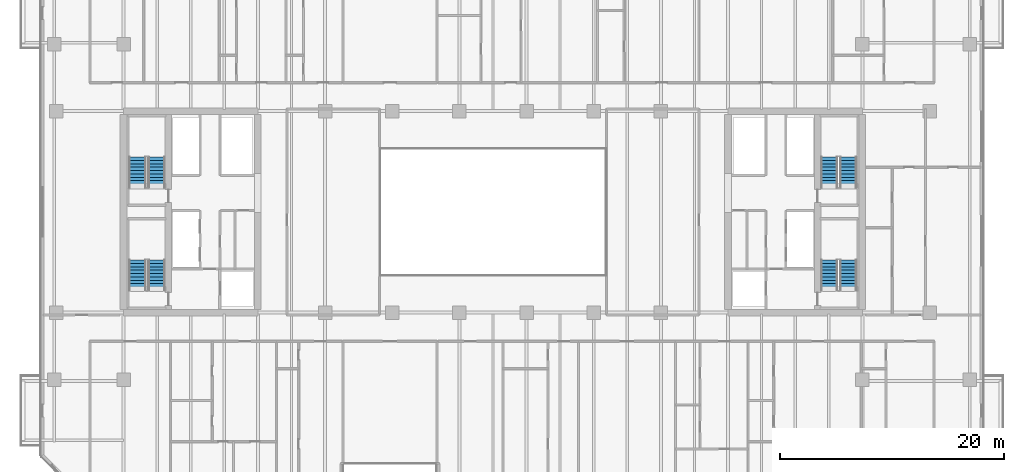
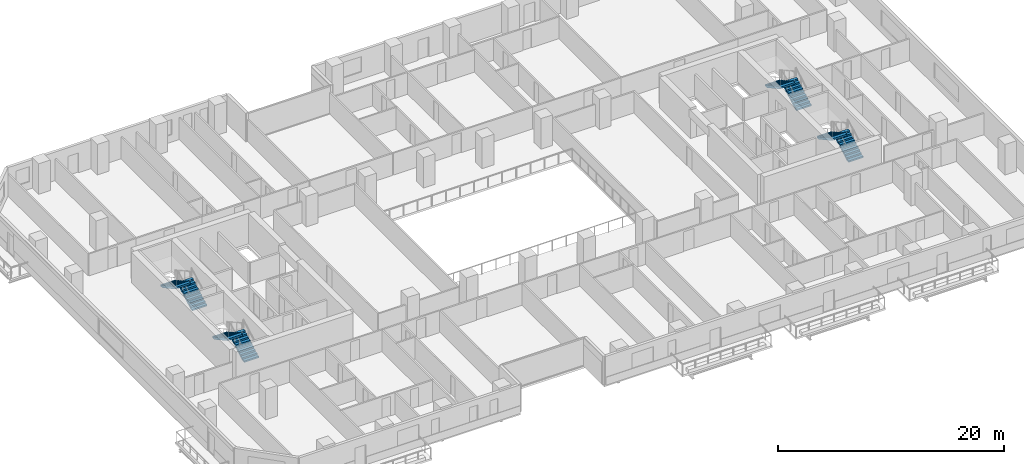
# One storey, part 17 of 26: 8 stair flights, 4 elements without a shape of their own.
"""IFC4 building model written with IfcOpenShell, lengths in metres."""

from ifc_helpers import new_model, si_unit, direction, frame, origin, place, context, subcontext, project, spatial, polyline, outline, extrude, material, type_object, element, aggregate, save


model = new_model("IFC4")

# Units and contexts
model_context = context("Model", 3, precision=1e-05, world=origin(), true_north=direction((0.0, 1.0)))
body_context = subcontext(model_context, "Body", "Model", "MODEL_VIEW")
ifc_project = project(units=[si_unit("LENGTHUNIT", "METRE"), si_unit("AREAUNIT", "SQUARE_METRE"), si_unit("VOLUMEUNIT", "CUBIC_METRE"), si_unit("PLANEANGLEUNIT", "RADIAN"), si_unit("MASSUNIT", "GRAM", prefix="KILO")], contexts=[model_context])

# Site, building, storey
site_placement = place(None, origin())
site = spatial("IfcSite", under=ifc_project, at=site_placement, CompositionType="ELEMENT")
building_placement = place(site_placement, origin())
building = spatial("IfcBuilding", under=site, at=building_placement, Name="Tanjung Sevakor Pilgrim Tower", CompositionType="ELEMENT")
storey_placement = place(building_placement, frame((0.0, 0.0, 45.5400390625)))
storey = spatial("IfcBuildingStorey", under=building, at=storey_placement, Name="L12", CompositionType="ELEMENT", Elevation=45.5400390625)

# Stair, stair flights
ifc_material_1 = material(Name="Concrete C40/50", Category="concrete")
stair_type = type_object("IfcStairType", Name="STAIR-ST-CR150", PredefinedType="HALF_TURN_STAIR", material=ifc_material_1)
stair_1_placement = place(storey_placement, origin())
stair_1 = element("IfcStair", 1, at=stair_1_placement, inside=storey, type_object=stair_type, Name="L12 West Core Exit Stair 1", PredefinedType="HALF_TURN_STAIR")
ifc_material_2 = material(Name="Concrete C40/50", Category="concrete")
stair_flight_type = type_object("IfcStairFlightType", Name="FLIGHT-ST-CR150", PredefinedType="STRAIGHT", material=ifc_material_2)
stair_flight_1_placement = place(storey_placement, frame((26.949951171875, 26.60009765625, 0.0), z_axis=(0.0, 0.0, 1.0), x_axis=(0.0, 1.0, 0.0)))
stair_flight_1 = element("IfcStairFlight", 2, at=stair_flight_1_placement, type_object=stair_flight_type, Name="TS-W1 flight 1", NumberOfRisers=10, NumberOfTreads=9, PredefinedType="STRAIGHT", RiserHeight=0.165, TreadLength=0.3, context=body_context, shape_type="SweptSolid", body=[
    extrude(outline(polyline([(0.0, 0.0), (0.0, 0.1650390625), (0.300048828125, 0.1650390625), (0.300048828125, 0.330078125), (0.60009765625, 0.330078125), (0.60009765625, 0.4951171875), (0.89990234375, 0.4951171875), (0.89990234375, 0.659912109375), (1.199951171875, 0.659912109375), (1.199951171875, 0.824951171875), (1.5, 0.824951171875), (1.5, 0.989990234375), (1.800048828125, 0.989990234375), (1.800048828125, 1.155029296875), (2.10009765625, 1.155029296875), (2.10009765625, 1.320068359375), (2.39990234375, 1.320068359375), (2.39990234375, 1.485107421875), (2.699951171875, 1.485107421875), (2.699951171875, 1.64990234375), (2.699951171875, 1.302490234375), (0.331787109375, 0.0), (0.0, 0.0)])), frame((0.0, 0.75, 0.0), z_axis=(0.0, -1.0, 0.0), x_axis=(1.0, 0.0, 0.0)), (0.0, 0.0, 1.0), 1.5),
])
stair_flight_2_placement = place(storey_placement, frame((25.25, 29.300048828125, 1.64990234375), z_axis=(0.0, 0.0, 1.0), x_axis=(0.0, -1.0, 0.0)))
stair_flight_2 = element("IfcStairFlight", 3, at=stair_flight_2_placement, type_object=stair_flight_type, Name="TS-W1 flight 2", NumberOfRisers=10, NumberOfTreads=9, PredefinedType="STRAIGHT", RiserHeight=0.165, TreadLength=0.3, context=body_context, shape_type="SweptSolid", body=[
    extrude(outline(polyline([(0.0, 0.0), (0.0, 0.1650390625), (0.300048828125, 0.1650390625), (0.300048828125, 0.330078125), (0.60009765625, 0.330078125), (0.60009765625, 0.4951171875), (0.89990234375, 0.4951171875), (0.89990234375, 0.659912109375), (1.199951171875, 0.659912109375), (1.199951171875, 0.824951171875), (1.5, 0.824951171875), (1.5, 0.989990234375), (1.800048828125, 0.989990234375), (1.800048828125, 1.155029296875), (2.10009765625, 1.155029296875), (2.10009765625, 1.320068359375), (2.39990234375, 1.320068359375), (2.39990234375, 1.485107421875), (2.699951171875, 1.485107421875), (2.699951171875, 1.64990234375), (2.699951171875, 1.302490234375), (0.331787109375, 0.0), (0.0, 0.0)])), frame((0.0, 0.75, 0.0), z_axis=(0.0, -1.0, 0.0), x_axis=(1.0, 0.0, 0.0)), (0.0, 0.0, 1.0), 1.5),
])
aggregate(stair_1, [stair_flight_1, stair_flight_2])

stair_2_placement = place(storey_placement, origin())
stair_2 = element("IfcStair", 4, at=stair_2_placement, inside=storey, type_object=stair_type, Name="L12 West Core Exit Stair 2", PredefinedType="HALF_TURN_STAIR")
stair_flight_3_placement = place(storey_placement, frame((26.949951171875, 35.800048828125, 0.0), z_axis=(0.0, 0.0, 1.0), x_axis=(0.0, 1.0, 0.0)))
stair_flight_3 = element("IfcStairFlight", 5, at=stair_flight_3_placement, type_object=stair_flight_type, Name="TS-W2 flight 1", NumberOfRisers=10, NumberOfTreads=9, PredefinedType="STRAIGHT", RiserHeight=0.165, TreadLength=0.3, context=body_context, shape_type="SweptSolid", body=[
    extrude(outline(polyline([(0.0, 0.0), (0.0, 0.1650390625), (0.300048828125, 0.1650390625), (0.300048828125, 0.330078125), (0.60009765625, 0.330078125), (0.60009765625, 0.4951171875), (0.89990234375, 0.4951171875), (0.89990234375, 0.659912109375), (1.199951171875, 0.659912109375), (1.199951171875, 0.824951171875), (1.5, 0.824951171875), (1.5, 0.989990234375), (1.800048828125, 0.989990234375), (1.800048828125, 1.155029296875), (2.10009765625, 1.155029296875), (2.10009765625, 1.320068359375), (2.39990234375, 1.320068359375), (2.39990234375, 1.485107421875), (2.699951171875, 1.485107421875), (2.699951171875, 1.64990234375), (2.699951171875, 1.302490234375), (0.331787109375, 0.0), (0.0, 0.0)])), frame((0.0, 0.75, 0.0), z_axis=(0.0, -1.0, 0.0), x_axis=(1.0, 0.0, 0.0)), (0.0, 0.0, 1.0), 1.5),
])
stair_flight_4_placement = place(storey_placement, frame((25.25, 38.5, 1.64990234375), z_axis=(0.0, 0.0, 1.0), x_axis=(0.0, -1.0, 0.0)))
stair_flight_4 = element("IfcStairFlight", 6, at=stair_flight_4_placement, type_object=stair_flight_type, Name="TS-W2 flight 2", NumberOfRisers=10, NumberOfTreads=9, PredefinedType="STRAIGHT", RiserHeight=0.165, TreadLength=0.3, context=body_context, shape_type="SweptSolid", body=[
    extrude(outline(polyline([(0.0, 0.0), (0.0, 0.1650390625), (0.300048828125, 0.1650390625), (0.300048828125, 0.330078125), (0.60009765625, 0.330078125), (0.60009765625, 0.4951171875), (0.89990234375, 0.4951171875), (0.89990234375, 0.659912109375), (1.199951171875, 0.659912109375), (1.199951171875, 0.824951171875), (1.5, 0.824951171875), (1.5, 0.989990234375), (1.800048828125, 0.989990234375), (1.800048828125, 1.155029296875), (2.10009765625, 1.155029296875), (2.10009765625, 1.320068359375), (2.39990234375, 1.320068359375), (2.39990234375, 1.485107421875), (2.699951171875, 1.485107421875), (2.699951171875, 1.64990234375), (2.699951171875, 1.302490234375), (0.331787109375, 0.0), (0.0, 0.0)])), frame((0.0, 0.75, 0.0), z_axis=(0.0, -1.0, 0.0), x_axis=(1.0, 0.0, 0.0)), (0.0, 0.0, 1.0), 1.5),
])
aggregate(stair_2, [stair_flight_3, stair_flight_4])

stair_3_placement = place(storey_placement, origin())
stair_3 = element("IfcStair", 7, at=stair_3_placement, inside=storey, type_object=stair_type, Name="L12 East Core Exit Stair 1", PredefinedType="HALF_TURN_STAIR")
stair_flight_5_placement = place(storey_placement, frame((88.75, 26.60009765625, 0.0), z_axis=(0.0, 0.0, 1.0), x_axis=(0.0, 1.0, 0.0)))
stair_flight_5 = element("IfcStairFlight", 8, at=stair_flight_5_placement, type_object=stair_flight_type, Name="TS-E1 flight 1", NumberOfRisers=10, NumberOfTreads=9, PredefinedType="STRAIGHT", RiserHeight=0.165, TreadLength=0.3, context=body_context, shape_type="SweptSolid", body=[
    extrude(outline(polyline([(0.0, 0.0), (0.0, 0.1650390625), (0.300048828125, 0.1650390625), (0.300048828125, 0.330078125), (0.60009765625, 0.330078125), (0.60009765625, 0.4951171875), (0.89990234375, 0.4951171875), (0.89990234375, 0.659912109375), (1.199951171875, 0.659912109375), (1.199951171875, 0.824951171875), (1.5, 0.824951171875), (1.5, 0.989990234375), (1.800048828125, 0.989990234375), (1.800048828125, 1.155029296875), (2.10009765625, 1.155029296875), (2.10009765625, 1.320068359375), (2.39990234375, 1.320068359375), (2.39990234375, 1.485107421875), (2.699951171875, 1.485107421875), (2.699951171875, 1.64990234375), (2.699951171875, 1.302490234375), (0.331787109375, 0.0), (0.0, 0.0)])), frame((0.0, 0.75, 0.0), z_axis=(0.0, -1.0, 0.0), x_axis=(1.0, 0.0, 0.0)), (0.0, 0.0, 1.0), 1.5),
])
stair_flight_6_placement = place(storey_placement, frame((87.050048828125, 29.300048828125, 1.64990234375), z_axis=(0.0, 0.0, 1.0), x_axis=(0.0, -1.0, 0.0)))
stair_flight_6 = element("IfcStairFlight", 9, at=stair_flight_6_placement, type_object=stair_flight_type, Name="TS-E1 flight 2", NumberOfRisers=10, NumberOfTreads=9, PredefinedType="STRAIGHT", RiserHeight=0.165, TreadLength=0.3, context=body_context, shape_type="SweptSolid", body=[
    extrude(outline(polyline([(0.0, 0.0), (0.0, 0.1650390625), (0.300048828125, 0.1650390625), (0.300048828125, 0.330078125), (0.60009765625, 0.330078125), (0.60009765625, 0.4951171875), (0.89990234375, 0.4951171875), (0.89990234375, 0.659912109375), (1.199951171875, 0.659912109375), (1.199951171875, 0.824951171875), (1.5, 0.824951171875), (1.5, 0.989990234375), (1.800048828125, 0.989990234375), (1.800048828125, 1.155029296875), (2.10009765625, 1.155029296875), (2.10009765625, 1.320068359375), (2.39990234375, 1.320068359375), (2.39990234375, 1.485107421875), (2.699951171875, 1.485107421875), (2.699951171875, 1.64990234375), (2.699951171875, 1.302490234375), (0.331787109375, 0.0), (0.0, 0.0)])), frame((0.0, 0.75, 0.0), z_axis=(0.0, -1.0, 0.0), x_axis=(1.0, 0.0, 0.0)), (0.0, 0.0, 1.0), 1.5),
])
aggregate(stair_3, [stair_flight_5, stair_flight_6])

stair_4_placement = place(storey_placement, origin())
stair_4 = element("IfcStair", 10, at=stair_4_placement, inside=storey, type_object=stair_type, Name="L12 East Core Exit Stair 2", PredefinedType="HALF_TURN_STAIR")
stair_flight_7_placement = place(storey_placement, frame((88.75, 35.800048828125, 0.0), z_axis=(0.0, 0.0, 1.0), x_axis=(0.0, 1.0, 0.0)))
stair_flight_7 = element("IfcStairFlight", 11, at=stair_flight_7_placement, type_object=stair_flight_type, Name="TS-E2 flight 1", NumberOfRisers=10, NumberOfTreads=9, PredefinedType="STRAIGHT", RiserHeight=0.165, TreadLength=0.3, context=body_context, shape_type="SweptSolid", body=[
    extrude(outline(polyline([(0.0, 0.0), (0.0, 0.1650390625), (0.300048828125, 0.1650390625), (0.300048828125, 0.330078125), (0.60009765625, 0.330078125), (0.60009765625, 0.4951171875), (0.89990234375, 0.4951171875), (0.89990234375, 0.659912109375), (1.199951171875, 0.659912109375), (1.199951171875, 0.824951171875), (1.5, 0.824951171875), (1.5, 0.989990234375), (1.800048828125, 0.989990234375), (1.800048828125, 1.155029296875), (2.10009765625, 1.155029296875), (2.10009765625, 1.320068359375), (2.39990234375, 1.320068359375), (2.39990234375, 1.485107421875), (2.699951171875, 1.485107421875), (2.699951171875, 1.64990234375), (2.699951171875, 1.302490234375), (0.331787109375, 0.0), (0.0, 0.0)])), frame((0.0, 0.75, 0.0), z_axis=(0.0, -1.0, 0.0), x_axis=(1.0, 0.0, 0.0)), (0.0, 0.0, 1.0), 1.5),
])
stair_flight_8_placement = place(storey_placement, frame((87.050048828125, 38.5, 1.64990234375), z_axis=(0.0, 0.0, 1.0), x_axis=(0.0, -1.0, 0.0)))
stair_flight_8 = element("IfcStairFlight", 12, at=stair_flight_8_placement, type_object=stair_flight_type, Name="TS-E2 flight 2", NumberOfRisers=10, NumberOfTreads=9, PredefinedType="STRAIGHT", RiserHeight=0.165, TreadLength=0.3, context=body_context, shape_type="SweptSolid", body=[
    extrude(outline(polyline([(0.0, 0.0), (0.0, 0.1650390625), (0.300048828125, 0.1650390625), (0.300048828125, 0.330078125), (0.60009765625, 0.330078125), (0.60009765625, 0.4951171875), (0.89990234375, 0.4951171875), (0.89990234375, 0.659912109375), (1.199951171875, 0.659912109375), (1.199951171875, 0.824951171875), (1.5, 0.824951171875), (1.5, 0.989990234375), (1.800048828125, 0.989990234375), (1.800048828125, 1.155029296875), (2.10009765625, 1.155029296875), (2.10009765625, 1.320068359375), (2.39990234375, 1.320068359375), (2.39990234375, 1.485107421875), (2.699951171875, 1.485107421875), (2.699951171875, 1.64990234375), (2.699951171875, 1.302490234375), (0.331787109375, 0.0), (0.0, 0.0)])), frame((0.0, 0.75, 0.0), z_axis=(0.0, -1.0, 0.0), x_axis=(1.0, 0.0, 0.0)), (0.0, 0.0, 1.0), 1.5),
])
aggregate(stair_4, [stair_flight_7, stair_flight_8])

save(model, "model.ifc")
